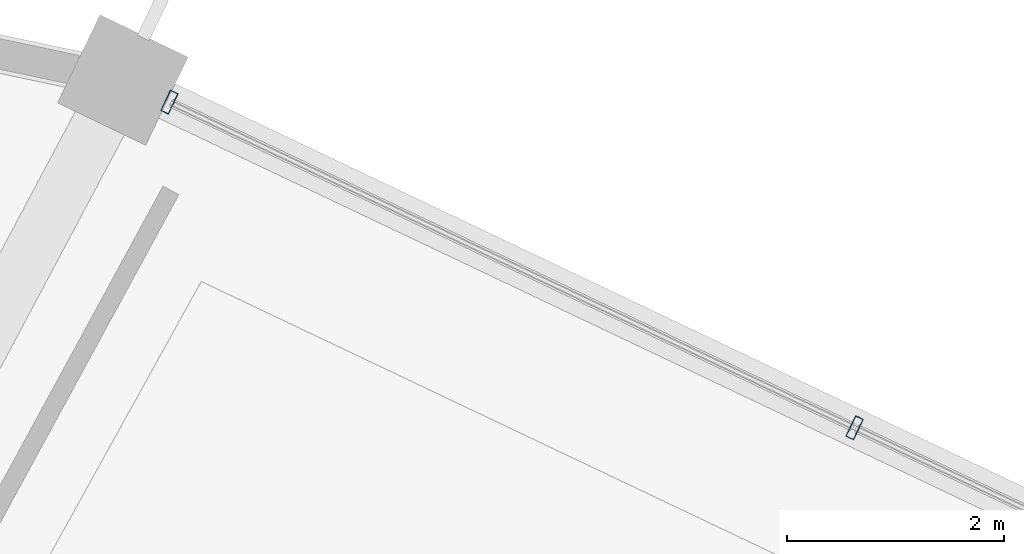
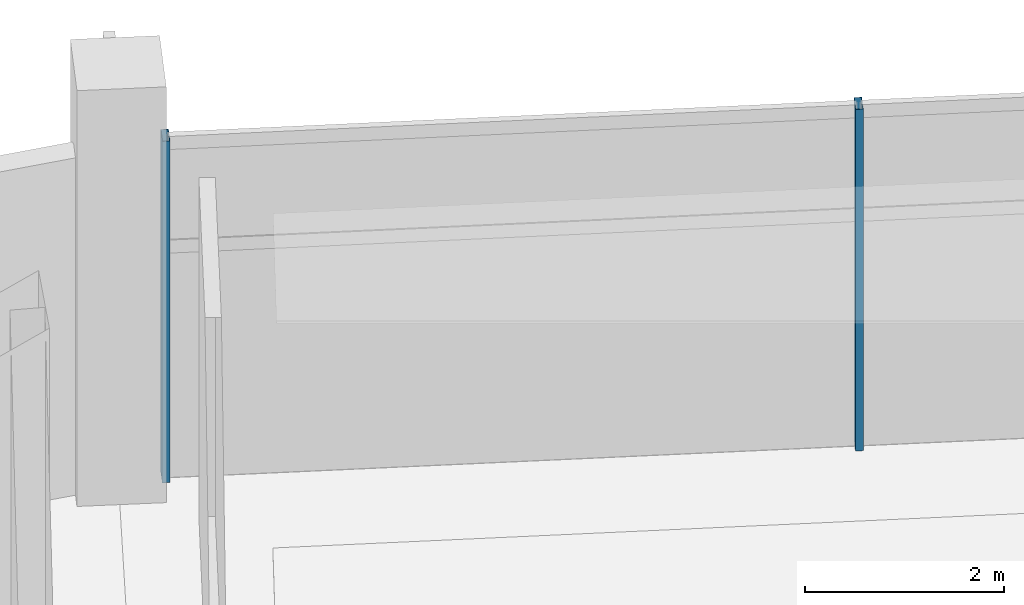
# One storey, part 134 of 184: 2 members, 1 element without a shape of its own.
"""IFC4 building model written with IfcOpenShell, lengths in metres."""

from ifc_helpers import new_model, si_unit, direction, frame, origin, origin_2d, place, context, subcontext, project, spatial, hollow_rectangle, extrude, material, layer, layer_set, material_profile, profile_set, type_object, element, aggregate, save


model = new_model("IFC4")

# Units and contexts
model_context = context("Model", 3, precision=1e-05, world=origin(), true_north=direction((0.0, 1.0)))
body_context = subcontext(model_context, "Body", "Model", "MODEL_VIEW")
ifc_project = project(units=[si_unit("LENGTHUNIT", "METRE"), si_unit("AREAUNIT", "SQUARE_METRE"), si_unit("VOLUMEUNIT", "CUBIC_METRE"), si_unit("PLANEANGLEUNIT", "RADIAN"), si_unit("MASSUNIT", "GRAM", prefix="KILO")], contexts=[model_context])

# Site, building, storey
site_placement = place(None, origin())
site = spatial("IfcSite", under=ifc_project, at=site_placement, CompositionType="ELEMENT")
building_placement = place(site_placement, origin())
building = spatial("IfcBuilding", under=site, at=building_placement, Name="Kazemori Nagisa Stadium", CompositionType="ELEMENT")
storey_placement = place(building_placement, frame((0.0, 0.0, 10.5400390625)))
storey = spatial("IfcBuildingStorey", under=building, at=storey_placement, Name="L02", CompositionType="ELEMENT", Elevation=10.5400390625)

# Curtain wall, members
ifc_material_1 = material(Name="Anodised aluminium 6063-T5", Category="aluminium")
ifc_layer = layer(ifc_material_1, 0.2099609375, Name="Anodised aluminium 6063-T5", Category="aluminium")
ifc_layer_set = layer_set([ifc_layer], Name="Anodised aluminium 6063-T5")
curtain_wall_type = type_object("IfcCurtainWallType", Name="CW_L02R3_105", PredefinedType="USERDEFINED", material=ifc_layer_set)
curtain_wall_placement = place(storey_placement, origin())
curtain_wall = element("IfcCurtainWall", 1, at=curtain_wall_placement, inside=storey, type_object=curtain_wall_type, Name="Unitised curtain wall CW-L02R3-105 L02", ObjectType="UNITISED CURTAIN WALL", PredefinedType="USERDEFINED")
ifc_material_2 = material(Name="Aluminium 6063-T5 anodised", Category="aluminium")
ifc_material_profile = material_profile(ifc_material_2, hollow_rectangle(XDim=0.080078125, YDim=0.2099609375, WallThickness=0.0048828125, at=origin_2d()), Name="ALU-MULL-80x210x5")
ifc_profile_set = profile_set([ifc_material_profile], Name="Aluminium 6063-T5 anodised")
member_type = type_object("IfcMemberType", Name="Mullion_M02", PredefinedType="MULLION", material=ifc_profile_set)
member_1_placement = place(storey_placement, frame((172.54541015625, 179.26123046875, 0.0), z_axis=(0.0, 0.0, 1.0), x_axis=(-0.903215892654, 0.429186499388, 0.0)))
member_1 = element("IfcMember", 2, at=member_1_placement, type_object=member_type, Name="Curtain wall mullion CW-L02R3-105-M3", PredefinedType="MULLION", context=body_context, shape_type="SweptSolid", body=[
    extrude(hollow_rectangle(XDim=0.080078125, YDim=0.2099609375, WallThickness=0.0048828125, at=origin_2d()), origin(), (0.0, 0.0, 1.0), 4.18994140625),
])
member_2_placement = place(storey_placement, frame((166.233642578125, 182.260498046875, 0.0), z_axis=(0.0, 0.0, 1.0), x_axis=(-0.903215892654, 0.429186499388, 0.0)))
member_2 = element("IfcMember", 3, at=member_2_placement, type_object=member_type, Name="Curtain wall mullion CW-L02R3-105-M4", PredefinedType="MULLION", context=body_context, shape_type="SweptSolid", body=[
    extrude(hollow_rectangle(XDim=0.080078125, YDim=0.2099609375, WallThickness=0.0048828125, at=origin_2d()), origin(), (0.0, 0.0, 1.0), 4.18994140625),
])
aggregate(curtain_wall, [member_1, member_2])

save(model, "model.ifc")
